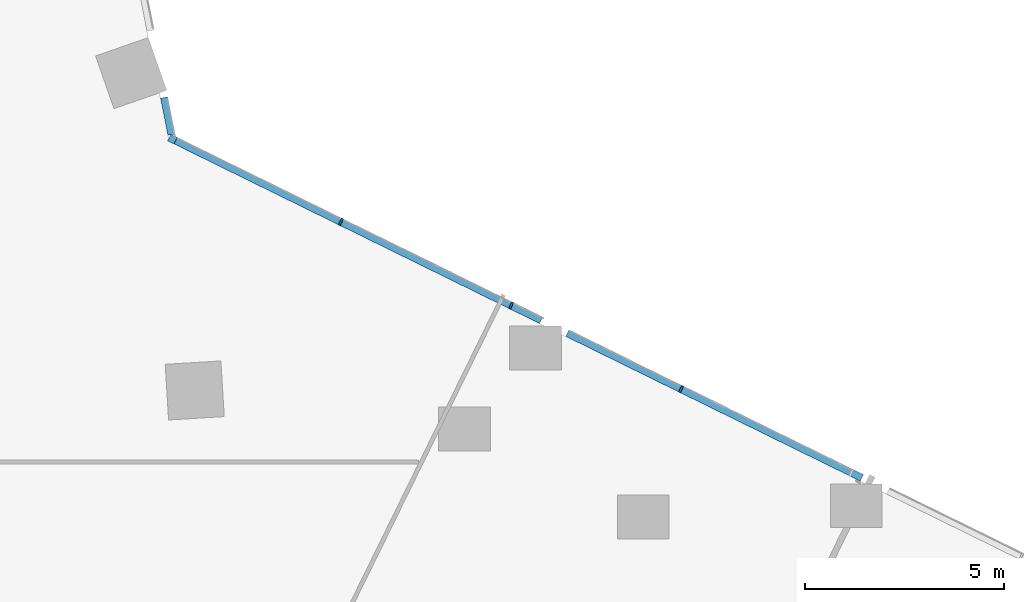
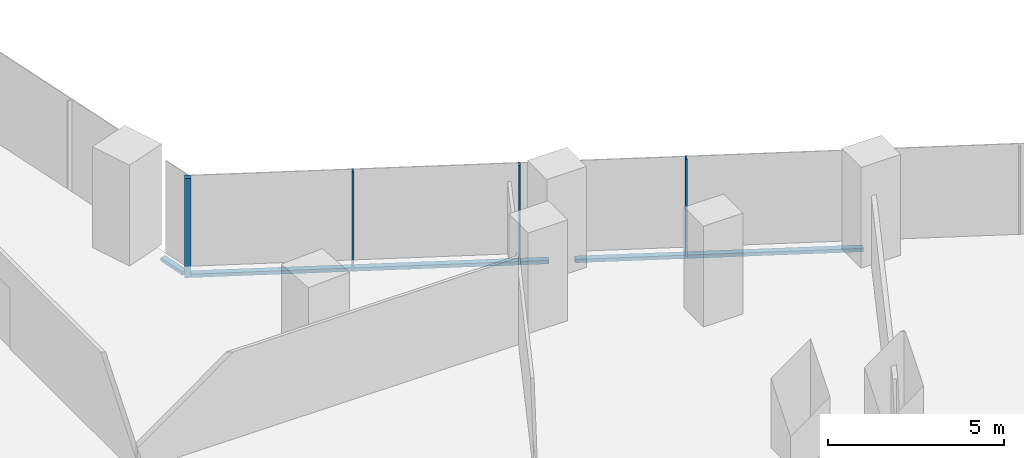
# One storey, part 11 of 38: 7 members, 2 elements without a shape of their own.
"""IFC4 building model written with IfcOpenShell, lengths in metres."""

from ifc_helpers import new_model, si_unit, direction, frame, origin, origin_2d, place, context, subcontext, project, spatial, rectangle, extrude, material, material_profile, profile_set, type_object, element, aggregate, save


model = new_model("IFC4")

# Units and contexts
model_context = context("Model", 3, precision=1e-05, world=origin(), true_north=direction((0.0, 1.0)))
body_context = subcontext(model_context, "Body", "Model", "MODEL_VIEW")
ifc_project = project(units=[si_unit("LENGTHUNIT", "METRE"), si_unit("AREAUNIT", "SQUARE_METRE"), si_unit("VOLUMEUNIT", "CUBIC_METRE"), si_unit("PLANEANGLEUNIT", "RADIAN"), si_unit("MASSUNIT", "GRAM", prefix="KILO")], contexts=[model_context])

# Site, building, storey
site_placement = place(None, origin())
site = spatial("IfcSite", under=ifc_project, at=site_placement, CompositionType="ELEMENT")
building_placement = place(site_placement, origin())
building = spatial("IfcBuilding", under=site, at=building_placement, Name="Orlundy Tower", CompositionType="ELEMENT")
storey_placement = place(building_placement, frame((0.0, 0.0, 72.800048828125)))
storey = spatial("IfcBuildingStorey", under=building, at=storey_placement, Name="L17", CompositionType="ELEMENT", Elevation=72.800048828125)

# Curtain wall, members
ifc_material_1 = material(Name="Aluminium bronze anodised", Category="aluminium")
curtain_wall_type = type_object("IfcCurtainWallType", Name="CW1 wall", PredefinedType="NOTDEFINED", material=ifc_material_1)
curtain_wall_1_placement = place(storey_placement, origin())
curtain_wall_1 = element("IfcCurtainWall", 1, at=curtain_wall_1_placement, inside=storey, type_object=curtain_wall_type, Name="CW1 run 018", PredefinedType="NOTDEFINED")
ifc_material_2 = material(Name="Aluminium bronze anodised", Category="aluminium")
ifc_material_profile_1 = material_profile(ifc_material_2, rectangle(XDim=0.179931640625, YDim=0.179931640625, at=origin_2d()), Name="CW1 corner post 180x180")
ifc_profile_set_1 = profile_set([ifc_material_profile_1], Name="Aluminium bronze anodised")
member_type_1 = type_object("IfcMemberType", Name="CW1 corner post 180x180", PredefinedType="MULLION", material=ifc_profile_set_1)
member_1_placement = place(storey_placement, frame((29.064453125, 8.103271484375, -0.400146484375), z_axis=(0.0, 0.0, 1.0), x_axis=(0.440978180969, 0.897517823728, 0.0)))
member_1 = element("IfcMember", 2, at=member_1_placement, type_object=member_type_1, Name="CW1 mullion 51", PredefinedType="MULLION", context=body_context, shape_type="SweptSolid", body=[
    extrude(rectangle(XDim=0.179931640625, YDim=0.179931640625, at=origin_2d()), origin(), (0.0, 0.0, 1.0), 3.4501953125),
])
ifc_material_3 = material(Name="Aluminium bronze anodised", Category="aluminium")
ifc_material_profile_2 = material_profile(ifc_material_3, rectangle(XDim=0.179931640625, YDim=0.050048828125, at=origin_2d()), Name="CW1 mullion 50x180")
ifc_profile_set_2 = profile_set([ifc_material_profile_2], Name="Aluminium bronze anodised")
member_type_2 = type_object("IfcMemberType", Name="CW1 mullion 50x180", PredefinedType="MULLION", material=ifc_profile_set_2)
member_2_placement = place(storey_placement, frame((33.292724609375, 6.02587890625, -0.400146484375), z_axis=(0.0, 0.0, 1.0), x_axis=(0.440978180969, 0.897517823728, 0.0)))
member_2 = element("IfcMember", 3, at=member_2_placement, type_object=member_type_2, Name="CW1 mullion 52", PredefinedType="MULLION", context=body_context, shape_type="SweptSolid", body=[
    extrude(rectangle(XDim=0.179931640625, YDim=0.050048828125, at=origin_2d()), origin(), (0.0, 0.0, 1.0), 3.4501953125),
])
member_3_placement = place(storey_placement, frame((37.560791015625, 3.9287109375, -0.400146484375), z_axis=(0.0, 0.0, 1.0), x_axis=(0.440978180969, 0.897517823728, 0.0)))
member_3 = element("IfcMember", 4, at=member_3_placement, type_object=member_type_2, Name="CW1 mullion 53", PredefinedType="MULLION", context=body_context, shape_type="SweptSolid", body=[
    extrude(rectangle(XDim=0.179931640625, YDim=0.050048828125, at=origin_2d()), origin(), (0.0, 0.0, 1.0), 3.4501953125),
])
member_4_placement = place(storey_placement, frame((41.82861328125, 1.831787109375, -0.400146484375), z_axis=(0.0, 0.0, 1.0), x_axis=(0.440978180969, 0.897517823728, 0.0)))
member_4 = element("IfcMember", 5, at=member_4_placement, type_object=member_type_2, Name="CW1 mullion 54", PredefinedType="MULLION", context=body_context, shape_type="SweptSolid", body=[
    extrude(rectangle(XDim=0.179931640625, YDim=0.050048828125, at=origin_2d()), origin(), (0.0, 0.0, 1.0), 3.4501953125),
])

# Curtain wall, member
curtain_wall_2_placement = place(storey_placement, origin())
curtain_wall_2 = element("IfcCurtainWall", 6, at=curtain_wall_2_placement, inside=storey, type_object=curtain_wall_type, Name="CW1 run 017", PredefinedType="NOTDEFINED")
ifc_material_4 = material(Name="Aluminium bronze anodised", Category="aluminium")
ifc_material_profile_3 = material_profile(ifc_material_4, rectangle(XDim=0.179931640625, YDim=0.1201171875, at=origin_2d()), Name="CW1 transom 180x120")
ifc_profile_set_3 = profile_set([ifc_material_profile_3], Name="Aluminium bronze anodised")
member_type_3 = type_object("IfcMemberType", Name="CW1 transom 180x120", PredefinedType="USERDEFINED", material=ifc_profile_set_3)
member_5_placement = place(storey_placement, frame((28.85546875, 9.145751953125, -0.340087890625), z_axis=(0.196610354456, -0.980481702288, 0.0), x_axis=(0.980481702288, 0.196610354456, 0.0)))
member_5 = element("IfcMember", 7, at=member_5_placement, type_object=member_type_3, Name="CW1 transom", ObjectType="TRANSOM", PredefinedType="USERDEFINED", context=body_context, shape_type="SweptSolid", body=[
    extrude(rectangle(XDim=0.179931640625, YDim=0.1201171875, at=origin_2d()), origin(), (0.0, 0.0, 1.0), 0.949951171875),
])
aggregate(curtain_wall_2, [member_5])

# Member
member_6_placement = place(storey_placement, frame((29.145263671875, 8.0634765625, -0.340087890625), z_axis=(0.897522132366, -0.44096941154, 0.0), x_axis=(0.44096941154, 0.897522132366, 0.0)))
member_6 = element("IfcMember", 8, at=member_6_placement, type_object=member_type_3, Name="CW1 transom", ObjectType="TRANSOM", PredefinedType="USERDEFINED", context=body_context, shape_type="SweptSolid", body=[
    extrude(rectangle(XDim=0.179931640625, YDim=0.1201171875, at=origin_2d()), origin(), (0.0, 0.0, 1.0), 10.21484375),
])

member_7_placement = place(storey_placement, frame((38.972900390625, 3.23486328125, -0.340087890625), z_axis=(0.897519729751, -0.44097430164, 0.0), x_axis=(0.44097430164, 0.897519729751, 0.0)))
member_7 = element("IfcMember", 9, at=member_7_placement, type_object=member_type_3, Name="CW1 transom", ObjectType="TRANSOM", PredefinedType="USERDEFINED", context=body_context, shape_type="SweptSolid", body=[
    extrude(rectangle(XDim=0.179931640625, YDim=0.1201171875, at=origin_2d()), origin(), (0.0, 0.0, 1.0), 8.2314453125),
])

aggregate(curtain_wall_1, [member_1, member_2, member_3, member_4, member_6, member_7])

save(model, "model.ifc")
